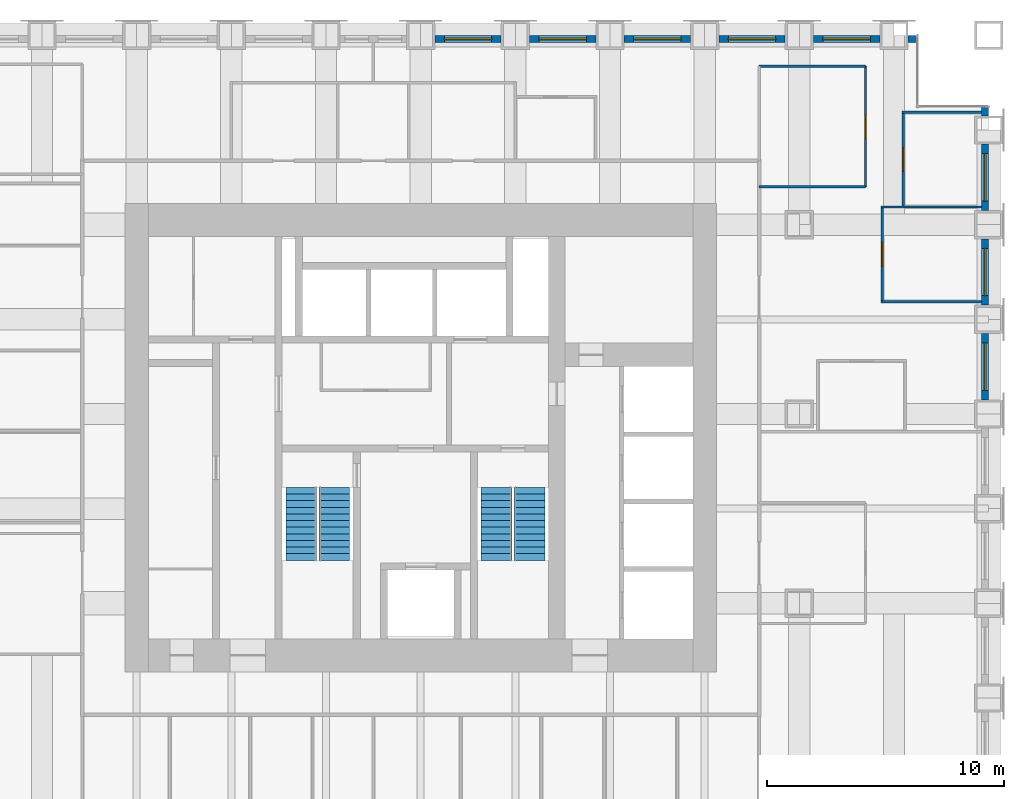
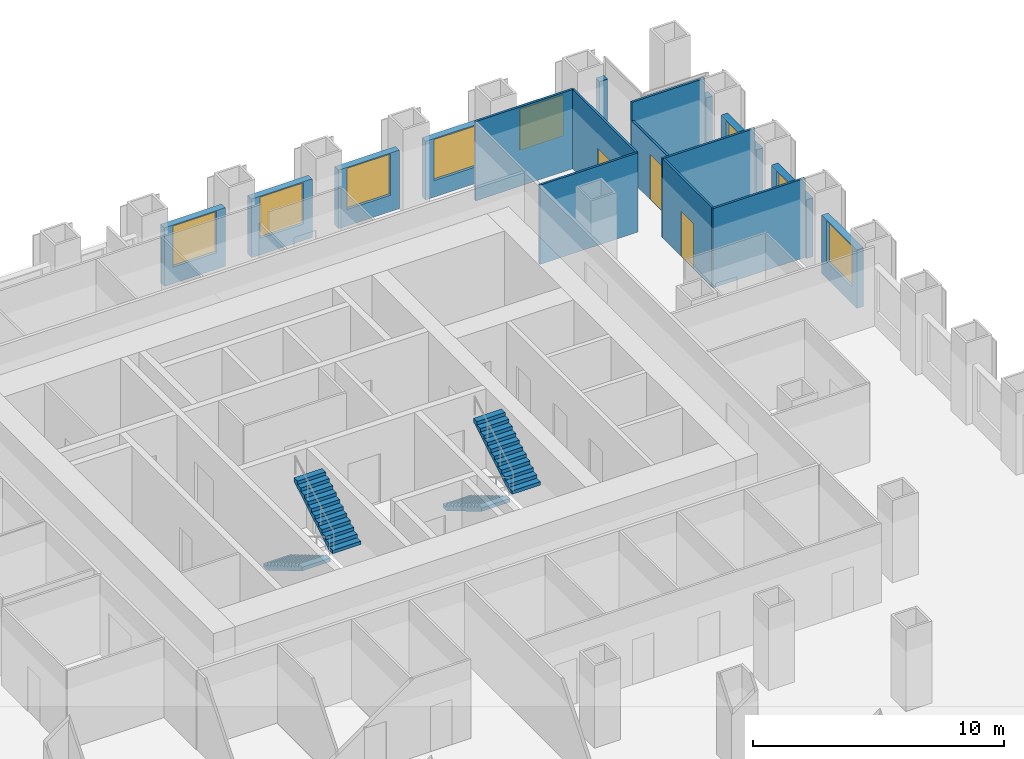
# One storey, part 13 of 15: 18 walls, 8 windows, 4 stair flights, 3 doors, 11 openings, 2 elements without a shape of their own.
"""IFC4 building model written with IfcOpenShell, lengths in metres."""

from ifc_helpers import new_model, si_unit, direction, frame, frame_2d, origin, place, context, subcontext, project, spatial, polyline, rectangle, outline, extrude, material, layer, layer_set, type_object, element, fill, aggregate, save


model = new_model("IFC4")

# Units and contexts
model_context = context("Model", 3, precision=1e-05, world=origin(), true_north=direction((0.0, 1.0)))
body_context = subcontext(model_context, "Body", "Model", "MODEL_VIEW")
ifc_project = project(units=[si_unit("LENGTHUNIT", "METRE"), si_unit("AREAUNIT", "SQUARE_METRE"), si_unit("VOLUMEUNIT", "CUBIC_METRE"), si_unit("PLANEANGLEUNIT", "RADIAN"), si_unit("MASSUNIT", "GRAM", prefix="KILO")], contexts=[model_context])

# Site, building, storey
site_placement = place(None, origin())
site = spatial("IfcSite", under=ifc_project, at=site_placement, CompositionType="ELEMENT")
building_placement = place(site_placement, origin())
building = spatial("IfcBuilding", under=site, at=building_placement, Name="Rimbunsela Tower", CompositionType="ELEMENT")
storey_placement = place(building_placement, frame((0.0, 0.0, 19.0)))
storey = spatial("IfcBuildingStorey", under=building, at=storey_placement, Name="L04", CompositionType="ELEMENT", Elevation=19.0)

# Walls
ifc_material_1 = material(Name="Gypsum board on steel studs", Category="steel")
ifc_layer_1 = layer(ifc_material_1, 0.10009765625)
ifc_layer_set_1 = layer_set([ifc_layer_1], Name="Office partition 100")
wall_type_1 = type_object("IfcWallType", Name="Office partition 100", PredefinedType="PARTITIONING", material=ifc_layer_set_1)
for number, where, z_axis, x_axis, name in (
    (1, (49.449951171875, 32.75, 0.0), (0.0, 0.0, 1.0), (1.0, 0.0, 0.0), "Office partition"),
    (2, (49.449951171875, 36.75, 0.0), (0.0, 0.0, 1.0), (1.0, 0.0, 0.0), "Office partition"),
):
    element("IfcWall", number, at=place(storey_placement, frame(where, z_axis=z_axis, x_axis=x_axis)), inside=storey, type_object=wall_type_1, Name=name, PredefinedType="PARTITIONING", context=body_context, shape_type="SweptSolid", body=[
        extrude(rectangle(XDim=4.25, YDim=0.10009765625, at=frame_2d((2.125, 0.0))), origin(), (0.0, 0.0, 1.0), 3.85009765625),
    ])
wall_1_placement = place(storey_placement, frame((50.35009765625, 40.75, 0.0), z_axis=(0.0, 0.0, 1.0), x_axis=(1.0, 0.0, 0.0)))
element("IfcWall", 3, at=wall_1_placement, inside=storey, type_object=wall_type_1, Name="Office partition", PredefinedType="PARTITIONING", context=body_context, shape_type="SweptSolid", body=[
    extrude(rectangle(XDim=3.349853515625, YDim=0.10009765625, at=frame_2d((1.6748046875, 0.0))), origin(), (0.0, 0.0, 1.0), 3.85009765625),
])

# Wall, opening, door
wall_2_placement = place(storey_placement, frame((49.5, 32.800048828125, 0.0), z_axis=(0.0, 0.0, 1.0), x_axis=(0.0, 1.0, 0.0)))
wall_2 = element("IfcWall", 4, at=wall_2_placement, inside=storey, type_object=wall_type_1, Name="Office partition", PredefinedType="PARTITIONING", context=body_context, shape_type="SweptSolid", body=[
    extrude(rectangle(XDim=3.89990234375, YDim=0.10009765625, at=frame_2d((1.949951171875, 0.0))), origin(), (0.0, 0.0, 1.0), 3.85009765625),
])
opening_1_placement = place(wall_2_placement, frame((1.449951171875, 0.0, 0.0)))
opening_1 = element("IfcOpeningElement", 5, at=opening_1_placement, cuts=wall_2, Name="Opening D16", PredefinedType="OPENING", context=body_context, shape_type="SweptSolid", body=[
    extrude(rectangle(XDim=1.0, YDim=2.199951171875, at=frame_2d((0.5, 1.10009765625))), frame((0.0, 0.06005859375, 0.0), z_axis=(0.0, -1.0, 0.0), x_axis=(1.0, 0.0, 0.0)), (0.0, 0.0, 1.0), 0.1201171875),
])
ifc_material_2 = material(Name="Timber door", Category="wood")
door_type_1 = type_object("IfcDoorType", Name="Office door 1000", OperationType="SINGLE_SWING_LEFT", PredefinedType="DOOR", material=ifc_material_2)
door_1_placement = place(opening_1_placement, origin())
door_1 = element("IfcDoor", 6, at=door_1_placement, inside=storey, type_object=door_type_1, Name="Office door", OperationType="SINGLE_SWING_LEFT", OverallHeight=2.199951171875, OverallWidth=1.0, PredefinedType="DOOR", context=body_context, shape_type="SweptSolid", body=[
    extrude(rectangle(XDim=1.0, YDim=2.199951171875, at=frame_2d((0.5, 1.10009765625))), frame((0.0, 0.02490234375, 0.0), z_axis=(0.0, -1.0, 0.0), x_axis=(1.0, 0.0, 0.0)), (0.0, 0.0, 1.0), 0.050048828125),
])
fill(opening_1, door_1)

wall_3_placement = place(storey_placement, frame((50.39990234375, 36.800048828125, 0.0), z_axis=(0.0, 0.0, 1.0), x_axis=(0.0, 1.0, 0.0)))
wall_3 = element("IfcWall", 7, at=wall_3_placement, inside=storey, type_object=wall_type_1, Name="Office partition", PredefinedType="PARTITIONING", context=body_context, shape_type="SweptSolid", body=[
    extrude(rectangle(XDim=3.949951171875, YDim=0.10009765625, at=frame_2d((1.97509765625, 0.0))), origin(), (0.0, 0.0, 1.0), 2.949951171875),
])
opening_2_placement = place(wall_3_placement, frame((1.449951171875, 0.0, 0.0)))
opening_2 = element("IfcOpeningElement", 8, at=opening_2_placement, cuts=wall_3, Name="Opening D16", PredefinedType="OPENING", context=body_context, shape_type="SweptSolid", body=[
    extrude(rectangle(XDim=1.0, YDim=2.199951171875, at=frame_2d((0.5, 1.10009765625))), frame((0.0, 0.06005859375, 0.0), z_axis=(0.0, -1.0, 0.0), x_axis=(1.0, 0.0, 0.0)), (0.0, 0.0, 1.0), 0.1201171875),
])
door_2_placement = place(opening_2_placement, origin())
door_2 = element("IfcDoor", 9, at=door_2_placement, inside=storey, type_object=door_type_1, Name="Office door", OperationType="SINGLE_SWING_LEFT", OverallHeight=2.199951171875, OverallWidth=1.0, PredefinedType="DOOR", context=body_context, shape_type="SweptSolid", body=[
    extrude(rectangle(XDim=1.0, YDim=2.199951171875, at=frame_2d((0.5, 1.10009765625))), frame((0.0, 0.02490234375, 0.0), z_axis=(0.0, -1.0, 0.0), x_axis=(1.0, 0.0, 0.0)), (0.0, 0.0, 1.0), 0.050048828125),
])
fill(opening_2, door_2)

# Wall
wall_4_placement = place(storey_placement, frame((44.300048828125, 37.60009765625, 0.0), z_axis=(0.0, 0.0, 1.0), x_axis=(1.0, 0.0, 0.0)))
element("IfcWall", 10, at=wall_4_placement, inside=storey, type_object=wall_type_1, Name="Office partition", PredefinedType="PARTITIONING", context=body_context, shape_type="SweptSolid", body=[
    extrude(rectangle(XDim=4.5, YDim=0.10009765625, at=frame_2d((2.25, 0.0))), origin(), (0.0, 0.0, 1.0), 3.85009765625),
])

# Wall, opening, door
wall_5_placement = place(storey_placement, frame((48.800048828125, 37.60009765625, 0.0), z_axis=(0.0, 0.0, 1.0), x_axis=(0.0, 1.0, 0.0)))
wall_5 = element("IfcWall", 11, at=wall_5_placement, inside=storey, type_object=wall_type_1, Name="Office partition", PredefinedType="PARTITIONING", context=body_context, shape_type="SweptSolid", body=[
    extrude(rectangle(XDim=5.099853515625, YDim=0.10009765625, at=frame_2d((2.5498046875, 0.0))), origin(), (0.0, 0.0, 1.0), 3.85009765625),
])
opening_3_placement = place(wall_5_placement, frame((2.050048828125, 0.0, 0.0)))
opening_3 = element("IfcOpeningElement", 12, at=opening_3_placement, cuts=wall_5, Name="Opening D17", PredefinedType="OPENING", context=body_context, shape_type="SweptSolid", body=[
    extrude(rectangle(XDim=1.0, YDim=2.199951171875, at=frame_2d((0.5, 1.10009765625))), frame((0.0, 0.06005859375, 0.0), z_axis=(0.0, -1.0, 0.0), x_axis=(1.0, 0.0, 0.0)), (0.0, 0.0, 1.0), 0.1201171875),
])
ifc_material_3 = material(Name="Glazed aluminium door", Category="aluminium")
door_type_2 = type_object("IfcDoorType", Name="Meeting room door 1000 glazed", OperationType="SINGLE_SWING_RIGHT", PredefinedType="DOOR", material=ifc_material_3)
door_3_placement = place(opening_3_placement, origin())
door_3 = element("IfcDoor", 13, at=door_3_placement, inside=storey, type_object=door_type_2, Name="Reception door", OperationType="SINGLE_SWING_RIGHT", OverallHeight=2.199951171875, OverallWidth=1.0, PredefinedType="DOOR", context=body_context, shape_type="SweptSolid", body=[
    extrude(rectangle(XDim=1.0, YDim=2.199951171875, at=frame_2d((0.5, 1.10009765625))), frame((0.0, 0.02490234375, 0.0), z_axis=(0.0, -1.0, 0.0), x_axis=(1.0, 0.0, 0.0)), (0.0, 0.0, 1.0), 0.050048828125),
])
fill(opening_3, door_3)

# Wall
wall_6_placement = place(storey_placement, frame((48.800048828125, 42.699951171875, 0.0), z_axis=(0.0, 0.0, 1.0), x_axis=(-1.0, 0.0, 0.0)))
element("IfcWall", 14, at=wall_6_placement, inside=storey, type_object=wall_type_1, Name="Office partition", PredefinedType="PARTITIONING", context=body_context, shape_type="SweptSolid", body=[
    extrude(rectangle(XDim=4.5, YDim=0.10009765625, at=frame_2d((2.25, 0.0))), origin(), (0.0, 0.0, 1.0), 3.85009765625),
])

# Wall, opening, window
ifc_material_4 = material(Name="Precast concrete fc' 35 MPa", Category="concrete")
ifc_layer_2 = layer(ifc_material_4, 0.300048828125)
ifc_layer_set_2 = layer_set([ifc_layer_2], Name="Precast concrete fc' 35 MPa")
wall_type_2 = type_object("IfcWallType", Name="Precast facade panel 300", PredefinedType="ELEMENTEDWALL", material=ifc_layer_set_2)
wall_7_placement = place(storey_placement, frame((53.85009765625, 28.60009765625, 0.0), z_axis=(0.0, 0.0, 1.0), x_axis=(0.0, 1.0, 0.0)))
wall_7 = element("IfcWall", 15, at=wall_7_placement, inside=storey, type_object=wall_type_2, Name="Facade panel E L04", PredefinedType="ELEMENTEDWALL", context=body_context, shape_type="SweptSolid", body=[
    extrude(rectangle(XDim=2.7998046875, YDim=0.300048828125, at=frame_2d((1.39990234375, 0.0))), origin(), (0.0, 0.0, 1.0), 2.85009765625),
])
opening_4_placement = place(wall_7_placement, frame((0.39990234375, 0.0, 0.800048828125)))
opening_4 = element("IfcOpeningElement", 16, at=opening_4_placement, cuts=wall_7, Name="Opening W1", PredefinedType="OPENING", context=body_context, shape_type="SweptSolid", body=[
    extrude(rectangle(XDim=2.0, YDim=2.0, at=frame_2d((1.0, 1.0))), frame((0.0, 0.159912109375, 0.0), z_axis=(0.0, -1.0, 0.0), x_axis=(1.0, 0.0, 0.0)), (0.0, 0.0, 1.0), 0.320068359375),
])
ifc_material_5 = material(Name="Clear glass in aluminium frame", Category="aluminium")
window_type = type_object("IfcWindowType", Name="Window W1 2000x2000", PartitioningType="DOUBLE_PANEL_VERTICAL", PredefinedType="WINDOW", material=ifc_material_5)
window_1_placement = place(opening_4_placement, origin())
window_1 = element("IfcWindow", 17, at=window_1_placement, inside=storey, type_object=window_type, Name="Window L04", OverallHeight=2.0, OverallWidth=2.0, PartitioningType="SINGLE_PANEL", PredefinedType="WINDOW", context=body_context, shape_type="SweptSolid", body=[
    extrude(rectangle(XDim=2.0, YDim=2.0, at=frame_2d((1.0, 1.0))), frame((0.0, 0.030029296875, 0.0), z_axis=(0.0, -1.0, 0.0), x_axis=(1.0, 0.0, 0.0)), (0.0, 0.0, 1.0), 0.06005859375),
])
fill(opening_4, window_1)

wall_8_placement = place(storey_placement, frame((53.85009765625, 32.60009765625, 0.0), z_axis=(0.0, 0.0, 1.0), x_axis=(0.0, 1.0, 0.0)))
wall_8 = element("IfcWall", 18, at=wall_8_placement, inside=storey, type_object=wall_type_2, Name="Facade panel E L04", PredefinedType="ELEMENTEDWALL", context=body_context, shape_type="SweptSolid", body=[
    extrude(rectangle(XDim=2.7998046875, YDim=0.300048828125, at=frame_2d((1.39990234375, 0.0))), origin(), (0.0, 0.0, 1.0), 2.85009765625),
])
opening_5_placement = place(wall_8_placement, frame((0.39990234375, 0.0, 0.800048828125)))
opening_5 = element("IfcOpeningElement", 19, at=opening_5_placement, cuts=wall_8, Name="Opening W1", PredefinedType="OPENING", context=body_context, shape_type="SweptSolid", body=[
    extrude(rectangle(XDim=2.0, YDim=2.0, at=frame_2d((1.0, 1.0))), frame((0.0, 0.159912109375, 0.0), z_axis=(0.0, -1.0, 0.0), x_axis=(1.0, 0.0, 0.0)), (0.0, 0.0, 1.0), 0.320068359375),
])
window_2_placement = place(opening_5_placement, origin())
window_2 = element("IfcWindow", 20, at=window_2_placement, inside=storey, type_object=window_type, Name="Window L04", OverallHeight=2.0, OverallWidth=2.0, PartitioningType="SINGLE_PANEL", PredefinedType="WINDOW", context=body_context, shape_type="SweptSolid", body=[
    extrude(rectangle(XDim=2.0, YDim=2.0, at=frame_2d((1.0, 1.0))), frame((0.0, 0.030029296875, 0.0), z_axis=(0.0, -1.0, 0.0), x_axis=(1.0, 0.0, 0.0)), (0.0, 0.0, 1.0), 0.06005859375),
])
fill(opening_5, window_2)

wall_9_placement = place(storey_placement, frame((53.85009765625, 36.60009765625, 0.0), z_axis=(0.0, 0.0, 1.0), x_axis=(0.0, 1.0, 0.0)))
wall_9 = element("IfcWall", 21, at=wall_9_placement, inside=storey, type_object=wall_type_2, Name="Facade panel E L04", PredefinedType="ELEMENTEDWALL", context=body_context, shape_type="SweptSolid", body=[
    extrude(rectangle(XDim=2.7998046875, YDim=0.300048828125, at=frame_2d((1.39990234375, 0.0))), origin(), (0.0, 0.0, 1.0), 2.85009765625),
])
opening_6_placement = place(wall_9_placement, frame((0.39990234375, 0.0, 0.800048828125)))
opening_6 = element("IfcOpeningElement", 22, at=opening_6_placement, cuts=wall_9, Name="Opening W1", PredefinedType="OPENING", context=body_context, shape_type="SweptSolid", body=[
    extrude(rectangle(XDim=2.0, YDim=2.0, at=frame_2d((1.0, 1.0))), frame((0.0, 0.159912109375, 0.0), z_axis=(0.0, -1.0, 0.0), x_axis=(1.0, 0.0, 0.0)), (0.0, 0.0, 1.0), 0.320068359375),
])
window_3_placement = place(opening_6_placement, origin())
window_3 = element("IfcWindow", 23, at=window_3_placement, inside=storey, type_object=window_type, Name="Window L04", OverallHeight=2.0, OverallWidth=2.0, PartitioningType="SINGLE_PANEL", PredefinedType="WINDOW", context=body_context, shape_type="SweptSolid", body=[
    extrude(rectangle(XDim=2.0, YDim=2.0, at=frame_2d((1.0, 1.0))), frame((0.0, 0.030029296875, 0.0), z_axis=(0.0, -1.0, 0.0), x_axis=(1.0, 0.0, 0.0)), (0.0, 0.0, 1.0), 0.06005859375),
])
fill(opening_6, window_3)

# Wall
wall_10_placement = place(storey_placement, frame((53.85009765625, 40.60009765625, 0.0), z_axis=(0.0, 0.0, 1.0), x_axis=(0.0, 1.0, 0.0)))
element("IfcWall", 24, at=wall_10_placement, inside=storey, type_object=wall_type_2, Name="Facade panel E L04", PredefinedType="ELEMENTEDWALL", context=body_context, shape_type="SweptSolid", body=[
    extrude(rectangle(XDim=0.369873046875, YDim=0.300048828125, at=frame_2d((0.18505859375, 0.0))), origin(), (0.0, 0.0, 1.0), 2.949951171875),
])

# Wall, opening, window
wall_11_placement = place(storey_placement, frame((33.39990234375, 43.85009765625, 0.0), z_axis=(0.0, 0.0, 1.0), x_axis=(-1.0, 0.0, 0.0)))
wall_11 = element("IfcWall", 25, at=wall_11_placement, inside=storey, type_object=wall_type_2, Name="Facade panel N L04", PredefinedType="ELEMENTEDWALL", context=body_context, shape_type="SweptSolid", body=[
    extrude(rectangle(XDim=2.7998046875, YDim=0.300048828125, at=frame_2d((1.39990234375, 0.0))), origin(), (0.0, 0.0, 1.0), 2.85009765625),
])
opening_7_placement = place(wall_11_placement, frame((0.39990234375, 0.0, 0.800048828125)))
opening_7 = element("IfcOpeningElement", 26, at=opening_7_placement, cuts=wall_11, Name="Opening W1", PredefinedType="OPENING", context=body_context, shape_type="SweptSolid", body=[
    extrude(rectangle(XDim=2.0, YDim=2.0, at=frame_2d((1.0, 1.0))), frame((0.0, 0.159912109375, 0.0), z_axis=(0.0, -1.0, 0.0), x_axis=(1.0, 0.0, 0.0)), (0.0, 0.0, 1.0), 0.320068359375),
])
window_4_placement = place(opening_7_placement, origin())
window_4 = element("IfcWindow", 27, at=window_4_placement, inside=storey, type_object=window_type, Name="Window L04", OverallHeight=2.0, OverallWidth=2.0, PartitioningType="SINGLE_PANEL", PredefinedType="WINDOW", context=body_context, shape_type="SweptSolid", body=[
    extrude(rectangle(XDim=2.0, YDim=2.0, at=frame_2d((1.0, 1.0))), frame((0.0, 0.030029296875, 0.0), z_axis=(0.0, -1.0, 0.0), x_axis=(1.0, 0.0, 0.0)), (0.0, 0.0, 1.0), 0.06005859375),
])
fill(opening_7, window_4)

wall_12_placement = place(storey_placement, frame((37.39990234375, 43.85009765625, 0.0), z_axis=(0.0, 0.0, 1.0), x_axis=(-1.0, 0.0, 0.0)))
wall_12 = element("IfcWall", 28, at=wall_12_placement, inside=storey, type_object=wall_type_2, Name="Facade panel N L04", PredefinedType="ELEMENTEDWALL", context=body_context, shape_type="SweptSolid", body=[
    extrude(rectangle(XDim=2.7998046875, YDim=0.300048828125, at=frame_2d((1.39990234375, 0.0))), origin(), (0.0, 0.0, 1.0), 2.85009765625),
])
opening_8_placement = place(wall_12_placement, frame((0.39990234375, 0.0, 0.800048828125)))
opening_8 = element("IfcOpeningElement", 29, at=opening_8_placement, cuts=wall_12, Name="Opening W1", PredefinedType="OPENING", context=body_context, shape_type="SweptSolid", body=[
    extrude(rectangle(XDim=2.0, YDim=2.0, at=frame_2d((1.0, 1.0))), frame((0.0, 0.159912109375, 0.0), z_axis=(0.0, -1.0, 0.0), x_axis=(1.0, 0.0, 0.0)), (0.0, 0.0, 1.0), 0.320068359375),
])
window_5_placement = place(opening_8_placement, origin())
window_5 = element("IfcWindow", 30, at=window_5_placement, inside=storey, type_object=window_type, Name="Window L04", OverallHeight=2.0, OverallWidth=2.0, PartitioningType="SINGLE_PANEL", PredefinedType="WINDOW", context=body_context, shape_type="SweptSolid", body=[
    extrude(rectangle(XDim=2.0, YDim=2.0, at=frame_2d((1.0, 1.0))), frame((0.0, 0.030029296875, 0.0), z_axis=(0.0, -1.0, 0.0), x_axis=(1.0, 0.0, 0.0)), (0.0, 0.0, 1.0), 0.06005859375),
])
fill(opening_8, window_5)

wall_13_placement = place(storey_placement, frame((41.39990234375, 43.85009765625, 0.0), z_axis=(0.0, 0.0, 1.0), x_axis=(-1.0, 0.0, 0.0)))
wall_13 = element("IfcWall", 31, at=wall_13_placement, inside=storey, type_object=wall_type_2, Name="Facade panel N L04", PredefinedType="ELEMENTEDWALL", context=body_context, shape_type="SweptSolid", body=[
    extrude(rectangle(XDim=2.7998046875, YDim=0.300048828125, at=frame_2d((1.39990234375, 0.0))), origin(), (0.0, 0.0, 1.0), 2.85009765625),
])
opening_9_placement = place(wall_13_placement, frame((0.39990234375, 0.0, 0.800048828125)))
opening_9 = element("IfcOpeningElement", 32, at=opening_9_placement, cuts=wall_13, Name="Opening W1", PredefinedType="OPENING", context=body_context, shape_type="SweptSolid", body=[
    extrude(rectangle(XDim=2.0, YDim=2.0, at=frame_2d((1.0, 1.0))), frame((0.0, 0.159912109375, 0.0), z_axis=(0.0, -1.0, 0.0), x_axis=(1.0, 0.0, 0.0)), (0.0, 0.0, 1.0), 0.320068359375),
])
window_6_placement = place(opening_9_placement, origin())
window_6 = element("IfcWindow", 33, at=window_6_placement, inside=storey, type_object=window_type, Name="Window L04", OverallHeight=2.0, OverallWidth=2.0, PartitioningType="SINGLE_PANEL", PredefinedType="WINDOW", context=body_context, shape_type="SweptSolid", body=[
    extrude(rectangle(XDim=2.0, YDim=2.0, at=frame_2d((1.0, 1.0))), frame((0.0, 0.030029296875, 0.0), z_axis=(0.0, -1.0, 0.0), x_axis=(1.0, 0.0, 0.0)), (0.0, 0.0, 1.0), 0.06005859375),
])
fill(opening_9, window_6)

wall_14_placement = place(storey_placement, frame((45.39990234375, 43.85009765625, 0.0), z_axis=(0.0, 0.0, 1.0), x_axis=(-1.0, 0.0, 0.0)))
wall_14 = element("IfcWall", 34, at=wall_14_placement, inside=storey, type_object=wall_type_2, Name="Facade panel N L04", PredefinedType="ELEMENTEDWALL", context=body_context, shape_type="SweptSolid", body=[
    extrude(rectangle(XDim=2.7998046875, YDim=0.300048828125, at=frame_2d((1.39990234375, 0.0))), origin(), (0.0, 0.0, 1.0), 2.85009765625),
])
opening_10_placement = place(wall_14_placement, frame((0.39990234375, 0.0, 0.800048828125)))
opening_10 = element("IfcOpeningElement", 35, at=opening_10_placement, cuts=wall_14, Name="Opening W1", PredefinedType="OPENING", context=body_context, shape_type="SweptSolid", body=[
    extrude(rectangle(XDim=2.0, YDim=2.0, at=frame_2d((1.0, 1.0))), frame((0.0, 0.159912109375, 0.0), z_axis=(0.0, -1.0, 0.0), x_axis=(1.0, 0.0, 0.0)), (0.0, 0.0, 1.0), 0.320068359375),
])
window_7_placement = place(opening_10_placement, origin())
window_7 = element("IfcWindow", 36, at=window_7_placement, inside=storey, type_object=window_type, Name="Window L04", OverallHeight=2.0, OverallWidth=2.0, PartitioningType="SINGLE_PANEL", PredefinedType="WINDOW", context=body_context, shape_type="SweptSolid", body=[
    extrude(rectangle(XDim=2.0, YDim=2.0, at=frame_2d((1.0, 1.0))), frame((0.0, 0.030029296875, 0.0), z_axis=(0.0, -1.0, 0.0), x_axis=(1.0, 0.0, 0.0)), (0.0, 0.0, 1.0), 0.06005859375),
])
fill(opening_10, window_7)

wall_15_placement = place(storey_placement, frame((49.39990234375, 43.85009765625, 0.0), z_axis=(0.0, 0.0, 1.0), x_axis=(-1.0, 0.0, 0.0)))
wall_15 = element("IfcWall", 37, at=wall_15_placement, inside=storey, type_object=wall_type_2, Name="Facade panel N L04", PredefinedType="ELEMENTEDWALL", context=body_context, shape_type="SweptSolid", body=[
    extrude(rectangle(XDim=2.7998046875, YDim=0.300048828125, at=frame_2d((1.39990234375, 0.0))), origin(), (0.0, 0.0, 1.0), 2.85009765625),
])
opening_11_placement = place(wall_15_placement, frame((0.39990234375, 0.0, 0.800048828125)))
opening_11 = element("IfcOpeningElement", 38, at=opening_11_placement, cuts=wall_15, Name="Opening W1", PredefinedType="OPENING", context=body_context, shape_type="SweptSolid", body=[
    extrude(rectangle(XDim=2.0, YDim=2.0, at=frame_2d((1.0, 1.0))), frame((0.0, 0.159912109375, 0.0), z_axis=(0.0, -1.0, 0.0), x_axis=(1.0, 0.0, 0.0)), (0.0, 0.0, 1.0), 0.320068359375),
])
window_8_placement = place(opening_11_placement, origin())
window_8 = element("IfcWindow", 39, at=window_8_placement, inside=storey, type_object=window_type, Name="Window L04", OverallHeight=2.0, OverallWidth=2.0, PartitioningType="SINGLE_PANEL", PredefinedType="WINDOW", context=body_context, shape_type="SweptSolid", body=[
    extrude(rectangle(XDim=2.0, YDim=2.0, at=frame_2d((1.0, 1.0))), frame((0.0, 0.030029296875, 0.0), z_axis=(0.0, -1.0, 0.0), x_axis=(1.0, 0.0, 0.0)), (0.0, 0.0, 1.0), 0.06005859375),
])
fill(opening_11, window_8)

# Wall
wall_16_placement = place(storey_placement, frame((50.969970703125, 43.85009765625, 0.0), z_axis=(0.0, 0.0, 1.0), x_axis=(-1.0, 0.0, 0.0)))
element("IfcWall", 40, at=wall_16_placement, inside=storey, type_object=wall_type_2, Name="Facade panel N L04", PredefinedType="ELEMENTEDWALL", context=body_context, shape_type="SweptSolid", body=[
    extrude(rectangle(XDim=0.369873046875, YDim=0.300048828125, at=frame_2d((0.18505859375, 0.0))), origin(), (0.0, 0.0, 1.0), 2.949951171875),
])

# Stair, stair flights
ifc_material_6 = material(Name="Concrete fc' 35 MPa", Category="concrete")
stair_type = type_object("IfcStairType", Name="Exit stair 24 risers", PredefinedType="HALF_TURN_STAIR", material=ifc_material_6)
stair_1_placement = place(storey_placement, origin())
stair_1 = element("IfcStair", 41, at=stair_1_placement, inside=storey, type_object=stair_type, Name="Exit stair A L04", PredefinedType="HALF_TURN_STAIR")
ifc_material_7 = material(Name="Concrete fc' 35 MPa", Category="concrete")
stair_flight_type = type_object("IfcStairFlightType", Name="Stair flight 12 risers 167", PredefinedType="STRAIGHT", material=ifc_material_7)
stair_flight_1_placement = place(storey_placement, frame((24.949951171875, 24.89990234375, 0.0), z_axis=(0.0, 0.0, 1.0), x_axis=(0.0, -1.0, 0.0)))
stair_flight_1 = element("IfcStairFlight", 42, at=stair_flight_1_placement, type_object=stair_flight_type, Name="ST-A flight 1", NumberOfRisers=12, NumberOfTreads=11, PredefinedType="STRAIGHT", RiserHeight=0.166666667, TreadLength=0.28, context=body_context, shape_type="SweptSolid", body=[
    extrude(outline(polyline([(0.0, 0.0), (0.0, 0.166748046875), (0.280029296875, 0.166748046875), (0.280029296875, 0.333251953125), (0.56005859375, 0.333251953125), (0.56005859375, 0.5), (0.840087890625, 0.5), (0.840087890625, 0.666748046875), (1.1201171875, 0.666748046875), (1.1201171875, 0.833251953125), (1.39990234375, 0.833251953125), (1.39990234375, 1.0), (1.679931640625, 1.0), (1.679931640625, 1.166748046875), (1.9599609375, 1.166748046875), (1.9599609375, 1.333251953125), (2.239990234375, 1.333251953125), (2.239990234375, 1.5), (2.52001953125, 1.5), (2.52001953125, 1.666748046875), (2.800048828125, 1.666748046875), (2.800048828125, 1.833251953125), (3.080078125, 1.833251953125), (3.080078125, 2.0), (3.080078125, 1.658935546875), (0.29296875, 0.0), (0.0, 0.0)])), frame((0.0, 0.64990234375, 0.0), z_axis=(0.0, -1.0, 0.0), x_axis=(1.0, 0.0, 0.0)), (0.0, 0.0, 1.0), 1.300048828125),
])
stair_flight_2_placement = place(storey_placement, frame((26.35009765625, 21.820068359375, 2.0), z_axis=(0.0, 0.0, 1.0), x_axis=(0.0, 1.0, 0.0)))
stair_flight_2 = element("IfcStairFlight", 43, at=stair_flight_2_placement, type_object=stair_flight_type, Name="ST-A flight 2", NumberOfRisers=12, NumberOfTreads=11, PredefinedType="STRAIGHT", RiserHeight=0.166666667, TreadLength=0.28, context=body_context, shape_type="SweptSolid", body=[
    extrude(outline(polyline([(0.0, 0.0), (0.0, 0.166748046875), (0.280029296875, 0.166748046875), (0.280029296875, 0.333251953125), (0.56005859375, 0.333251953125), (0.56005859375, 0.5), (0.840087890625, 0.5), (0.840087890625, 0.666748046875), (1.1201171875, 0.666748046875), (1.1201171875, 0.833251953125), (1.39990234375, 0.833251953125), (1.39990234375, 1.0), (1.679931640625, 1.0), (1.679931640625, 1.166748046875), (1.9599609375, 1.166748046875), (1.9599609375, 1.333251953125), (2.239990234375, 1.333251953125), (2.239990234375, 1.5), (2.52001953125, 1.5), (2.52001953125, 1.666748046875), (2.800048828125, 1.666748046875), (2.800048828125, 1.833251953125), (3.080078125, 1.833251953125), (3.080078125, 2.0), (3.080078125, 1.658935546875), (0.29296875, 0.0), (0.0, 0.0)])), frame((0.0, 0.64990234375, 0.0), z_axis=(0.0, -1.0, 0.0), x_axis=(1.0, 0.0, 0.0)), (0.0, 0.0, 1.0), 1.300048828125),
])
aggregate(stair_1, [stair_flight_1, stair_flight_2])

stair_2_placement = place(storey_placement, origin())
stair_2 = element("IfcStair", 44, at=stair_2_placement, inside=storey, type_object=stair_type, Name="Exit stair B L04", PredefinedType="HALF_TURN_STAIR")
stair_flight_3_placement = place(storey_placement, frame((33.199951171875, 24.89990234375, 0.0), z_axis=(0.0, 0.0, 1.0), x_axis=(0.0, -1.0, 0.0)))
stair_flight_3 = element("IfcStairFlight", 45, at=stair_flight_3_placement, type_object=stair_flight_type, Name="ST-B flight 1", NumberOfRisers=12, NumberOfTreads=11, PredefinedType="STRAIGHT", RiserHeight=0.166666667, TreadLength=0.28, context=body_context, shape_type="SweptSolid", body=[
    extrude(outline(polyline([(0.0, 0.0), (0.0, 0.166748046875), (0.280029296875, 0.166748046875), (0.280029296875, 0.333251953125), (0.56005859375, 0.333251953125), (0.56005859375, 0.5), (0.840087890625, 0.5), (0.840087890625, 0.666748046875), (1.1201171875, 0.666748046875), (1.1201171875, 0.833251953125), (1.39990234375, 0.833251953125), (1.39990234375, 1.0), (1.679931640625, 1.0), (1.679931640625, 1.166748046875), (1.9599609375, 1.166748046875), (1.9599609375, 1.333251953125), (2.239990234375, 1.333251953125), (2.239990234375, 1.5), (2.52001953125, 1.5), (2.52001953125, 1.666748046875), (2.800048828125, 1.666748046875), (2.800048828125, 1.833251953125), (3.080078125, 1.833251953125), (3.080078125, 2.0), (3.080078125, 1.658935546875), (0.29296875, 0.0), (0.0, 0.0)])), frame((0.0, 0.64990234375, 0.0), z_axis=(0.0, -1.0, 0.0), x_axis=(1.0, 0.0, 0.0)), (0.0, 0.0, 1.0), 1.300048828125),
])
stair_flight_4_placement = place(storey_placement, frame((34.60009765625, 21.820068359375, 2.0), z_axis=(0.0, 0.0, 1.0), x_axis=(0.0, 1.0, 0.0)))
stair_flight_4 = element("IfcStairFlight", 46, at=stair_flight_4_placement, type_object=stair_flight_type, Name="ST-B flight 2", NumberOfRisers=12, NumberOfTreads=11, PredefinedType="STRAIGHT", RiserHeight=0.166666667, TreadLength=0.28, context=body_context, shape_type="SweptSolid", body=[
    extrude(outline(polyline([(0.0, 0.0), (0.0, 0.166748046875), (0.280029296875, 0.166748046875), (0.280029296875, 0.333251953125), (0.56005859375, 0.333251953125), (0.56005859375, 0.5), (0.840087890625, 0.5), (0.840087890625, 0.666748046875), (1.1201171875, 0.666748046875), (1.1201171875, 0.833251953125), (1.39990234375, 0.833251953125), (1.39990234375, 1.0), (1.679931640625, 1.0), (1.679931640625, 1.166748046875), (1.9599609375, 1.166748046875), (1.9599609375, 1.333251953125), (2.239990234375, 1.333251953125), (2.239990234375, 1.5), (2.52001953125, 1.5), (2.52001953125, 1.666748046875), (2.800048828125, 1.666748046875), (2.800048828125, 1.833251953125), (3.080078125, 1.833251953125), (3.080078125, 2.0), (3.080078125, 1.658935546875), (0.29296875, 0.0), (0.0, 0.0)])), frame((0.0, 0.64990234375, 0.0), z_axis=(0.0, -1.0, 0.0), x_axis=(1.0, 0.0, 0.0)), (0.0, 0.0, 1.0), 1.300048828125),
])
aggregate(stair_2, [stair_flight_3, stair_flight_4])

save(model, "model.ifc")
